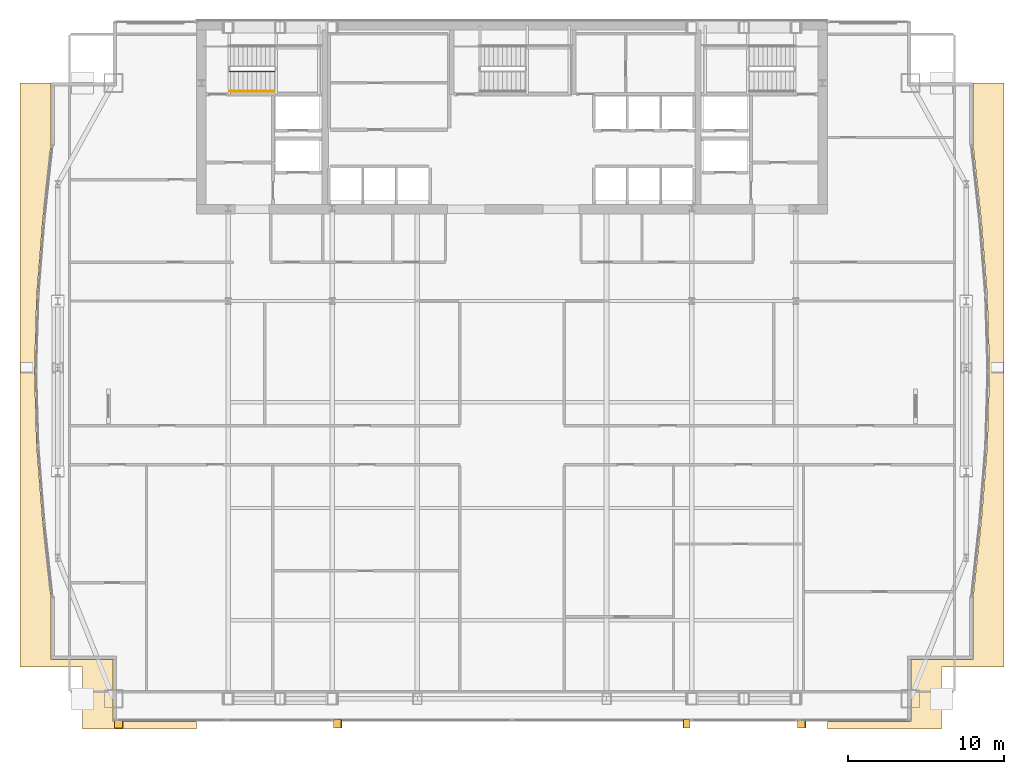
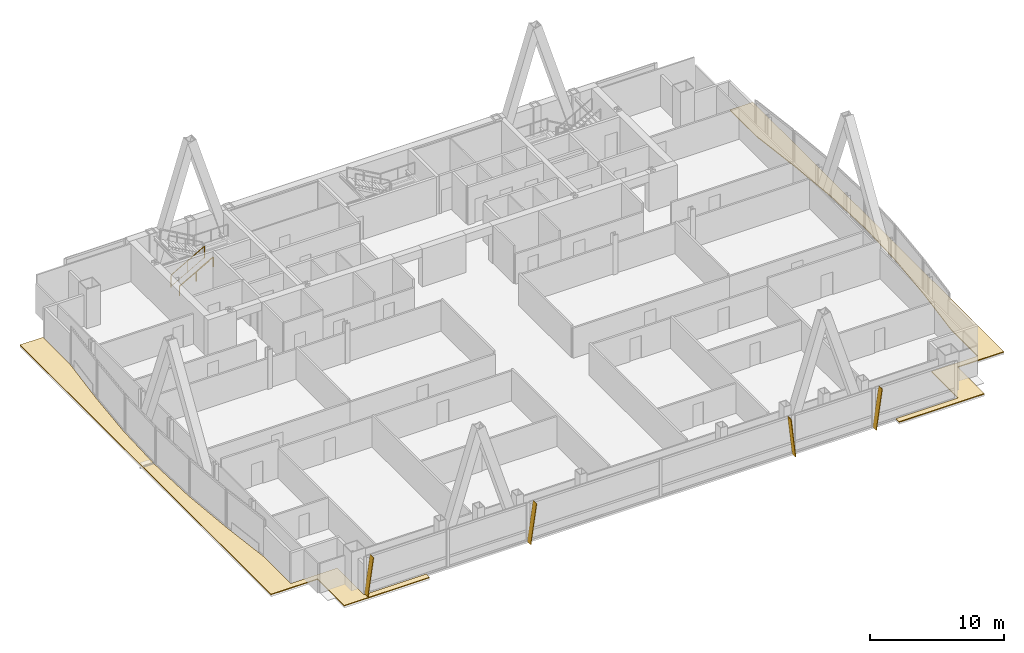
# One storey, part 31 of 32: 4 shading devices, 2 coverings, 2 railings.
"""IFC4 building model written with IfcOpenShell, lengths in metres."""

from ifc_helpers import new_model, si_unit, direction, frame, origin, origin_2d, place, context, subcontext, project, spatial, polyline, rectangle, outline, extrude, material, layer, layer_set, type_object, element, save


model = new_model("IFC4")

# Units and contexts
model_context = context("Model", 3, precision=1e-05, world=origin(), true_north=direction((0.0, 1.0)))
body_context = subcontext(model_context, "Body", "Model", "MODEL_VIEW")
ifc_project = project(units=[si_unit("LENGTHUNIT", "METRE"), si_unit("AREAUNIT", "SQUARE_METRE"), si_unit("VOLUMEUNIT", "CUBIC_METRE"), si_unit("PLANEANGLEUNIT", "RADIAN"), si_unit("MASSUNIT", "GRAM", prefix="KILO")], contexts=[model_context])

# Site, building, storey
site_placement = place(None, origin())
site = spatial("IfcSite", under=ifc_project, at=site_placement, CompositionType="ELEMENT")
building_placement = place(site_placement, origin())
building = spatial("IfcBuilding", under=site, at=building_placement, Name="Khoronbel Lancet Exchange", CompositionType="ELEMENT")
storey_placement = place(building_placement, frame((0.0, 0.0, 188.60009765625)))
storey = spatial("IfcBuildingStorey", under=building, at=storey_placement, Name="L47", CompositionType="ELEMENT", Elevation=188.60009765625)

# Coverings
ifc_material_1 = material(Name="Standing-Seam Bronze & SBS Waterproofing Assembly", Category="aluminium")
ifc_layer_1 = layer(ifc_material_1, 0.080078125, Name="Standing-Seam Bronze & SBS Waterproofing Assembly")
ifc_layer_set_1 = layer_set([ifc_layer_1], Name="Standing-Seam Bronze & SBS Waterproofing Assembly")
covering_type = type_object("IfcCoveringType", Name="COV-ROOF1", PredefinedType="ROOFING", material=ifc_layer_set_1)
covering_1_placement = place(storey_placement, origin())
element("IfcCovering", 1, at=covering_1_placement, inside=storey, type_object=covering_type, Name="Level L47 setback roof slab 1 insulated roofing assembly", PredefinedType="ROOFING", context=body_context, shape_type="SweptSolid", body=[
    extrude(outline(polyline([(8.85009765625, 8.199951171875), (8.85009765625, 12.199951171875), (4.85009765625, 12.199951171875), (4.85009765625, 16.199951171875), (4.85009765625, 45.699951171875), (4.85009765625, 49.699951171875), (6.830078125, 49.699951171875), (6.830078125, 45.701171875), (6.30517578125, 40.868896484375), (6.30517578125, 40.868408203125), (5.9208984375, 36.034912109375), (5.920654296875, 36.033935546875), (5.780029296875, 31.20068359375), (5.780029296875, 31.199462890625), (5.920654296875, 26.3662109375), (5.9208984375, 26.364990234375), (6.30517578125, 21.53173828125), (6.30517578125, 21.531005859375), (6.830078125, 16.698974609375), (6.830078125, 12.699951171875), (6.830078125, 12.697998046875), (6.830322265625, 12.696044921875), (6.830810546875, 12.694091796875), (6.83154296875, 12.6923828125), (6.83251953125, 12.690673828125), (6.83349609375, 12.68896484375), (6.83447265625, 12.687255859375), (6.8359375, 12.685791015625), (6.83740234375, 12.6845703125), (6.8388671875, 12.683349609375), (6.840576171875, 12.682373046875), (6.84228515625, 12.681396484375), (6.84423828125, 12.680908203125), (6.84619140625, 12.680419921875), (6.847900390625, 12.68017578125), (6.85009765625, 12.679931640625), (10.830078125, 12.679931640625), (10.830078125, 8.699951171875), (10.830078125, 8.697998046875), (10.830322265625, 8.696044921875), (10.830810546875, 8.694091796875), (10.83154296875, 8.6923828125), (10.83251953125, 8.690673828125), (10.83349609375, 8.68896484375), (10.83447265625, 8.687255859375), (10.8359375, 8.685791015625), (10.83740234375, 8.6845703125), (10.8388671875, 8.683349609375), (10.840576171875, 8.682373046875), (10.84228515625, 8.681396484375), (10.84423828125, 8.680908203125), (10.84619140625, 8.680419921875), (10.847900390625, 8.68017578125), (10.85009765625, 8.679931640625), (16.199951171875, 8.679931640625), (16.199951171875, 8.199951171875), (8.85009765625, 8.199951171875)])), origin(), (0.0, 0.0, 1.0), 0.079833984375),
])
covering_2_placement = place(storey_placement, origin())
element("IfcCovering", 2, at=covering_2_placement, inside=storey, type_object=covering_type, Name="Level L47 setback roof slab 2 insulated roofing assembly", PredefinedType="ROOFING", context=body_context, shape_type="SweptSolid", body=[
    extrude(outline(polyline([(68.050048828125, 45.699951171875), (68.050048828125, 16.199951171875), (68.050048828125, 12.199951171875), (64.050048828125, 12.199951171875), (64.050048828125, 8.199951171875), (56.699951171875, 8.199951171875), (56.699951171875, 8.679931640625), (62.050048828125, 8.679931640625), (62.052001953125, 8.68017578125), (62.053955078125, 8.680419921875), (62.055908203125, 8.680908203125), (62.0576171875, 8.681396484375), (62.059326171875, 8.682373046875), (62.06103515625, 8.683349609375), (62.062744140625, 8.6845703125), (62.064208984375, 8.685791015625), (62.0654296875, 8.687255859375), (62.066650390625, 8.68896484375), (62.067626953125, 8.690673828125), (62.068603515625, 8.6923828125), (62.069091796875, 8.694091796875), (62.069580078125, 8.696044921875), (62.06982421875, 8.697998046875), (62.070068359375, 8.699951171875), (62.070068359375, 12.679931640625), (66.050048828125, 12.679931640625), (66.052001953125, 12.68017578125), (66.053955078125, 12.680419921875), (66.055908203125, 12.680908203125), (66.0576171875, 12.681396484375), (66.059326171875, 12.682373046875), (66.06103515625, 12.683349609375), (66.062744140625, 12.6845703125), (66.064208984375, 12.685791015625), (66.0654296875, 12.687255859375), (66.066650390625, 12.68896484375), (66.067626953125, 12.690673828125), (66.068603515625, 12.6923828125), (66.069091796875, 12.694091796875), (66.069580078125, 12.696044921875), (66.06982421875, 12.697998046875), (66.070068359375, 12.699951171875), (66.070068359375, 16.698974609375), (66.594970703125, 21.531005859375), (66.594970703125, 21.53173828125), (66.979248046875, 26.364990234375), (66.979248046875, 26.3662109375), (67.1201171875, 31.199462890625), (67.1201171875, 31.20068359375), (66.979248046875, 36.033935546875), (66.979248046875, 36.034912109375), (66.594970703125, 40.868408203125), (66.594970703125, 40.868896484375), (66.070068359375, 45.701171875), (66.070068359375, 49.699951171875), (68.050048828125, 49.699951171875), (68.050048828125, 45.699951171875)])), origin(), (0.0, 0.0, 1.0), 0.079833984375),
])

# Railings
ifc_material_2 = material(Name="Painted Steel Balustrade", Category="steel")
railing_type_1 = type_object("IfcRailingType", Name="RL-STG110", PredefinedType="GUARDRAIL", material=ifc_material_2)
railing_1_placement = place(storey_placement, frame((18.300048828125, 50.449951171875, 0.16357421875)))
element("IfcRailing", 3, at=railing_1_placement, inside=storey, type_object=railing_type_1, Name="L47 ST1 stair guard 1", PredefinedType="GUARDRAIL", context=body_context, shape_type="SweptSolid", body=[
    extrude(rectangle(XDim=0.048095703125, YDim=0.048095703125, at=origin_2d()), frame((0.0, 0.0, 1.09619140625), z_axis=(0.870928581787, 0.0, 0.491409610636), x_axis=(0.0, 1.0, 0.0)), (0.0, 0.0, 1.0), 3.32958984375),
    extrude(rectangle(XDim=0.02392578125, YDim=0.02392578125, at=origin_2d()), frame((0.0, 0.0, 0.080078125), z_axis=(0.870928581787, 0.0, 0.491409610636), x_axis=(0.0, 1.0, 0.0)), (0.0, 0.0, 1.0), 3.32958984375),
    extrude(rectangle(XDim=0.0419921875, YDim=0.0419921875, at=origin_2d()), origin(), (0.0, 0.0, 1.0), 1.072021484375),
    extrude(rectangle(XDim=0.0419921875, YDim=0.0419921875, at=origin_2d()), frame((1.449951171875, 0.0, 0.818115234375)), (0.0, 0.0, 1.0), 1.072021484375),
    extrude(rectangle(XDim=0.0419921875, YDim=0.0419921875, at=origin_2d()), frame((2.89990234375, 0.0, 1.63623046875)), (0.0, 0.0, 1.0), 1.072021484375),
])
ifc_material_3 = material(Name="Brushed Stainless Steel 316", Category="steel")
railing_type_2 = type_object("IfcRailingType", Name="RL-STH92", PredefinedType="HANDRAIL", material=ifc_material_3)
railing_2_placement = place(storey_placement, frame((18.300048828125, 49.169921875, 0.16357421875)))
element("IfcRailing", 4, at=railing_2_placement, inside=storey, type_object=railing_type_2, Name="L47 ST1 stair handrail 1", PredefinedType="HANDRAIL", context=body_context, shape_type="SweptSolid", body=[
    extrude(rectangle(XDim=0.048095703125, YDim=0.048095703125, at=origin_2d()), frame((0.0, 0.0, 0.8759765625), z_axis=(0.870928581787, 0.0, 0.491409610636), x_axis=(0.0, 1.0, 0.0)), (0.0, 0.0, 1.0), 3.32958984375),
    extrude(rectangle(XDim=0.0419921875, YDim=0.0419921875, at=origin_2d()), origin(), (0.0, 0.0, 1.0), 0.851806640625),
    extrude(rectangle(XDim=0.0419921875, YDim=0.0419921875, at=origin_2d()), frame((1.449951171875, 0.0, 0.818115234375)), (0.0, 0.0, 1.0), 0.851806640625),
    extrude(rectangle(XDim=0.0419921875, YDim=0.0419921875, at=origin_2d()), frame((2.89990234375, 0.0, 1.63623046875)), (0.0, 0.0, 1.0), 0.851806640625),
])

# Shading devices
ifc_material_4 = material(Name="Bronze-Anodised Aluminium 6063-T6", Category="aluminium")
ifc_layer_2 = layer(ifc_material_4, 0.054931640625, Name="Bronze-Anodised Aluminium 6063-T6")
ifc_layer_set_2 = layer_set([ifc_layer_2], Name="Bronze-Anodised Aluminium 6063-T6")
shading_device_type = type_object("IfcShadingDeviceType", Name="SHD-FIN1", PredefinedType="USERDEFINED", material=ifc_layer_set_2)
for number, where, z_axis, x_axis, name in (
    (5, (10.91259765625, 8.81005859375, -0.080078125), (-0.990092925251, 0.0, 0.140413672296), (0.0, -1.0, 0.0), "Slanted bronze solar fin CW-L47-SWV-0"),
    (6, (24.972412109375, 8.81005859375, -0.080078125), (-0.990083483708, 0.0, 0.140480230955), (0.0, -1.0, 0.0), "Slanted bronze solar fin CW-L47-SCV-0"),
):
    element("IfcShadingDevice", number, at=place(storey_placement, frame(where, z_axis=z_axis, x_axis=x_axis)), inside=storey, type_object=shading_device_type, Name=name, ObjectType="FIN", PredefinedType="USERDEFINED", context=body_context, shape_type="SweptSolid", body=[
        extrude(outline(polyline([(0.0, 0.0), (0.52001953125, 0.0), (0.52001953125, 3.595703125), (0.0, 3.595703125), (0.0, 0.0)])), origin(), (0.0, 0.0, -1.0), 0.054931640625),
    ])
shading_device_1_placement = place(storey_placement, frame((47.87255859375, 8.81005859375, -0.080078125), z_axis=(0.993900347655, 0.0, 0.110281906632), x_axis=(0.0, -1.0, 0.0)))
element("IfcShadingDevice", 7, at=shading_device_1_placement, inside=storey, type_object=shading_device_type, Name="Slanted bronze solar fin CW-L47-SCV-2", ObjectType="FIN", PredefinedType="USERDEFINED", context=body_context, shape_type="SweptSolid", body=[
    extrude(outline(polyline([(0.0, 0.0), (0.52001953125, 0.0), (0.52001953125, -3.581787109375), (0.0, -3.581787109375), (0.0, 0.0)])), origin(), (0.0, 0.0, -1.0), 0.054931640625),
])
shading_device_2_placement = place(storey_placement, frame((54.7724609375, 8.81005859375, -0.080078125), z_axis=(-0.990083483708, 0.0, 0.140480230955), x_axis=(0.0, -1.0, 0.0)))
element("IfcShadingDevice", 8, at=shading_device_2_placement, inside=storey, type_object=shading_device_type, Name="Slanted bronze solar fin CW-L47-SEV-0", ObjectType="FIN", PredefinedType="USERDEFINED", context=body_context, shape_type="SweptSolid", body=[
    extrude(outline(polyline([(0.0, 0.0), (0.52001953125, 0.0), (0.52001953125, 3.595703125), (0.0, 3.595703125), (0.0, 0.0)])), origin(), (0.0, 0.0, -1.0), 0.054931640625),
])

save(model, "model.ifc")
